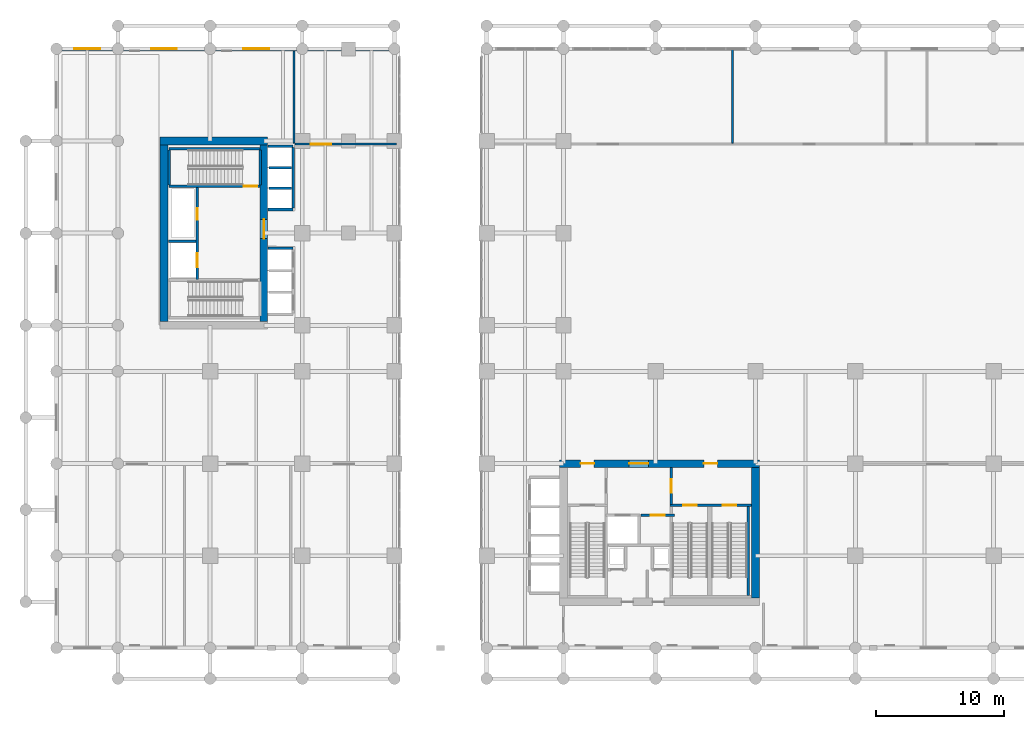
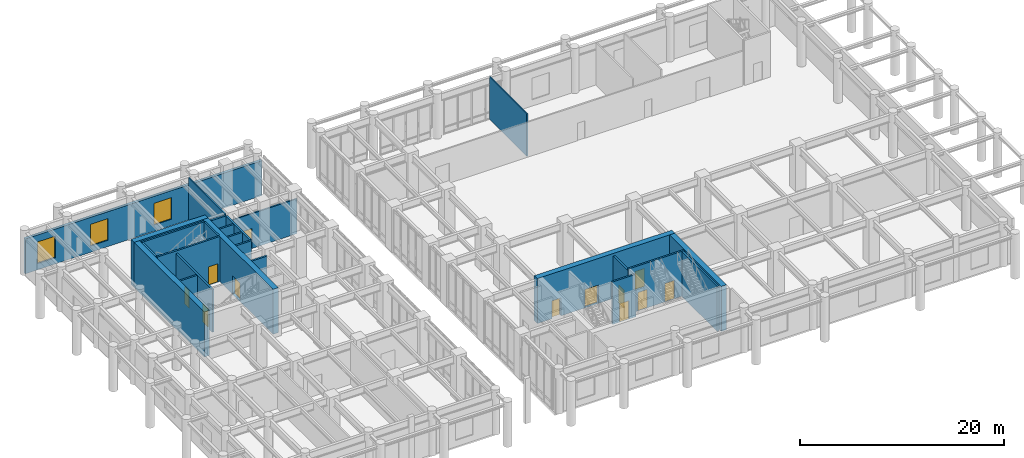
# One storey, part 17 of 23: 25 walls, 12 doors, 3 windows, 15 openings.
"""IFC4 building model written with IfcOpenShell, lengths in metres."""

from ifc_helpers import new_model, si_unit, derived_unit, direction, frame, frame_2d, origin, place, context, subcontext, project, spatial, rectangle, extrude, source, transform, mapped, material, layer, layer_set, type_object, type_shapes, element, fill, save


model = new_model("IFC4")

# Units and contexts
model_context = context("Model", 3, precision=1e-05, world=origin(), true_north=direction((0.0, 1.0)))
body_context = subcontext(model_context, "Body", "Model", "MODEL_VIEW")
ifc_project = project(units=[si_unit("LENGTHUNIT", "METRE"), si_unit("AREAUNIT", "SQUARE_METRE"), si_unit("VOLUMEUNIT", "CUBIC_METRE"), si_unit("PLANEANGLEUNIT", "RADIAN"), si_unit("MASSUNIT", "GRAM", prefix="KILO"), si_unit("THERMODYNAMICTEMPERATUREUNIT", "KELVIN"), si_unit("POWERUNIT", "WATT"), derived_unit("THERMALTRANSMITTANCEUNIT", [(si_unit("POWERUNIT", "WATT"), 1), (si_unit("AREAUNIT", "SQUARE_METRE"), -1), (si_unit("THERMODYNAMICTEMPERATUREUNIT", "KELVIN"), -1)])], contexts=[model_context])

# Site, building, storey
site_placement = place(None, origin())
site = spatial("IfcSite", under=ifc_project, at=site_placement, CompositionType="ELEMENT")
building_placement = place(site_placement, origin())
building = spatial("IfcBuilding", under=site, at=building_placement, Name="Zahravan Archway Hotel and Residences", CompositionType="ELEMENT")
storey_placement = place(building_placement, frame((0.0, 0.0, 5.39990234375)))
storey = spatial("IfcBuildingStorey", under=building, at=storey_placement, Name="L01", CompositionType="ELEMENT", Elevation=5.39990234375)

# Wall, openings, doors
ifc_material_1 = material(Name="Concrete C70/85", Category="concrete")
ifc_layer_1 = layer(ifc_material_1, 0.60009765625, Name="Concrete C70/85", Category="concrete")
ifc_layer_set_1 = layer_set([ifc_layer_1], Name="Concrete C70/85")
wall_type_1 = type_object("IfcWallType", Name="CW-CORE-600", PredefinedType="SHEAR", material=ifc_layer_set_1)
wall_1_placement = place(storey_placement, frame((34.5, 14.39990234375, 0.0), z_axis=(0.0, 0.0, 1.0), x_axis=(1.0, 0.0, 0.0)))
wall_1 = element("IfcWall", 1, at=wall_1_placement, inside=storey, type_object=wall_type_1, Name="L01 Core A Shear N Wall 600 mm", PredefinedType="SHEAR", context=body_context, shape_type="SweptSolid", body=[
    extrude(rectangle(XDim=15.60009765625, YDim=0.60009765625, at=frame_2d((7.800048828125, 0.0))), origin(), (0.0, 0.0, 1.0), 5.400146484375),
])
opening_1_placement = place(wall_1_placement, frame((5.429931640625, 0.0, 0.0)))
opening_1 = element("IfcOpeningElement", 2, at=opening_1_placement, cuts=wall_1, Name="Opening FD-L1", PredefinedType="OPENING", context=body_context, shape_type="SweptSolid", body=[
    extrude(rectangle(XDim=1.5, YDim=2.199951171875, at=frame_2d((0.75, 1.10009765625))), frame((0.0, 0.31005859375, 0.0), z_axis=(0.0, -1.0, 0.0), x_axis=(1.0, 0.0, 0.0)), (0.0, 0.0, 1.0), 0.6201171875),
])
opening_2_placement = place(wall_1_placement, frame((1.64501953125, 0.0, 0.0)))
opening_2 = element("IfcOpeningElement", 3, at=opening_2_placement, cuts=wall_1, Name="Opening FD-L2", PredefinedType="OPENING", context=body_context, shape_type="SweptSolid", body=[
    extrude(rectangle(XDim=1.050048828125, YDim=2.14990234375, at=frame_2d((0.52490234375, 1.074951171875))), frame((0.0, 0.31005859375, 0.0), z_axis=(0.0, -1.0, 0.0), x_axis=(1.0, 0.0, 0.0)), (0.0, 0.0, 1.0), 0.6201171875),
])
opening_3_placement = place(wall_1_placement, frame((11.27490234375, 0.0, 0.0)))
opening_3 = element("IfcOpeningElement", 4, at=opening_3_placement, cuts=wall_1, Name="Opening FD-L2", PredefinedType="OPENING", context=body_context, shape_type="SweptSolid", body=[
    extrude(rectangle(XDim=1.050048828125, YDim=2.14990234375, at=frame_2d((0.52490234375, 1.074951171875))), frame((0.0, 0.31005859375, 0.0), z_axis=(0.0, -1.0, 0.0), x_axis=(1.0, 0.0, 0.0)), (0.0, 0.0, 1.0), 0.6201171875),
])
ifc_material_2 = material(Name="Fire-Rated Painted Steel", Category="steel")
door_type_1 = type_object("IfcDoorType", Name="FD-LOBBY-1100", OperationType="NOTDEFINED", PredefinedType="DOOR", material=ifc_material_2)
shared_shape_1 = source(origin(), body_context, "Body", "SweptSolid", [
    extrude(rectangle(XDim=1.050048828125, YDim=2.14990234375, at=frame_2d((0.52490234375, 1.074951171875))), frame((0.0, 0.02490234375, 0.0), z_axis=(0.0, -1.0, 0.0), x_axis=(1.0, 0.0, 0.0)), (0.0, 0.0, 1.0), 0.050048828125),
])
type_shapes(door_type_1, [shared_shape_1])
door_1_placement = place(opening_2_placement, origin())
door_1 = element("IfcDoor", 5, at=door_1_placement, inside=storey, type_object=door_type_1, Name="L01 Core A West Stair Lobby Door", OperationType="SINGLE_SWING_LEFT", OverallHeight=2.14990234375, OverallWidth=1.050048828125, PredefinedType="DOOR", context=body_context, shape_type="MappedRepresentation", body=[
    mapped(shared_shape_1, transform((0.0, 0.0, 0.0), scale=1.0)),
])
fill(opening_2, door_1)
door_2_placement = place(opening_3_placement, origin())
door_2 = element("IfcDoor", 6, at=door_2_placement, inside=storey, type_object=door_type_1, Name="L01 Core A East Stair Lobby Door", OperationType="SINGLE_SWING_RIGHT", OverallHeight=2.14990234375, OverallWidth=1.050048828125, PredefinedType="DOOR", context=body_context, shape_type="MappedRepresentation", body=[
    mapped(shared_shape_1, transform((0.0, 0.0, 0.0), scale=1.0)),
])
fill(opening_3, door_2)
door_type_2 = type_object("IfcDoorType", Name="FD-LOBBY-1500", OperationType="DOUBLE_DOOR_SINGLE_SWING", PredefinedType="DOOR", material=ifc_material_2)
shared_shape_2 = source(origin(), body_context, "Body", "SweptSolid", [
    extrude(rectangle(XDim=1.5, YDim=2.199951171875, at=frame_2d((0.75, 1.10009765625))), frame((0.0, 0.02490234375, 0.0), z_axis=(0.0, -1.0, 0.0), x_axis=(1.0, 0.0, 0.0)), (0.0, 0.0, 1.0), 0.050048828125),
])
type_shapes(door_type_2, [shared_shape_2])
door_3_placement = place(opening_1_placement, origin())
door_3 = element("IfcDoor", 7, at=door_3_placement, inside=storey, type_object=door_type_2, Name="L01 Core A FSAE Lobby Main Door", OperationType="DOUBLE_DOOR_SINGLE_SWING", OverallHeight=2.199951171875, OverallWidth=1.5, PredefinedType="DOOR", context=body_context, shape_type="MappedRepresentation", body=[
    mapped(shared_shape_2, transform((0.0, 0.0, 0.0), scale=1.0)),
])
fill(opening_1, door_3)

# Walls
wall_2_placement = place(storey_placement, frame((49.800048828125, 3.89990234375, 0.0), z_axis=(0.0, 0.0, 1.0), x_axis=(0.0, 1.0, 0.0)))
element("IfcWall", 8, at=wall_2_placement, inside=storey, type_object=wall_type_1, Name="L01 Core A Shear E Wall 600 mm", PredefinedType="SHEAR", context=body_context, shape_type="SweptSolid", body=[
    extrude(rectangle(XDim=10.2001953125, YDim=0.60009765625, at=frame_2d((5.10009765625, 0.0))), origin(), (0.0, 0.0, 1.0), 5.400146484375),
])
wall_3_placement = place(storey_placement, frame((3.300048828125, 39.60009765625, 0.0), z_axis=(0.0, 0.0, 1.0), x_axis=(1.0, 0.0, 0.0)))
element("IfcWall", 9, at=wall_3_placement, inside=storey, type_object=wall_type_1, Name="L01 Core B Shear N Wall 600 mm", PredefinedType="SHEAR", context=body_context, shape_type="SweptSolid", body=[
    extrude(rectangle(XDim=8.39990234375, YDim=0.60009765625, at=frame_2d((4.199951171875, 0.0))), origin(), (0.0, 0.0, 1.0), 5.400146484375),
])
wall_4_placement = place(storey_placement, frame((3.60009765625, 25.5, 0.0), z_axis=(0.0, 0.0, 1.0), x_axis=(0.0, 1.0, 0.0)))
element("IfcWall", 10, at=wall_4_placement, inside=storey, type_object=wall_type_1, Name="L01 Core B Shear W Wall 600 mm", PredefinedType="SHEAR", context=body_context, shape_type="SweptSolid", body=[
    extrude(rectangle(XDim=13.800048828125, YDim=0.60009765625, at=frame_2d((6.89990234375, 0.0))), origin(), (0.0, 0.0, 1.0), 5.400146484375),
])

# Wall, opening, door
wall_5_placement = place(storey_placement, frame((11.39990234375, 25.5, 0.0), z_axis=(0.0, 0.0, 1.0), x_axis=(0.0, 1.0, 0.0)))
wall_5 = element("IfcWall", 11, at=wall_5_placement, inside=storey, type_object=wall_type_1, Name="L01 Core B Shear E Wall 600 mm", PredefinedType="SHEAR", context=body_context, shape_type="SweptSolid", body=[
    extrude(rectangle(XDim=13.800048828125, YDim=0.60009765625, at=frame_2d((6.89990234375, 0.0))), origin(), (0.0, 0.0, 1.0), 5.400146484375),
])
opening_4_placement = place(wall_5_placement, frame((6.469970703125, 0.0, 0.0)))
opening_4 = element("IfcOpeningElement", 12, at=opening_4_placement, cuts=wall_5, Name="Opening FD-L1", PredefinedType="OPENING", context=body_context, shape_type="SweptSolid", body=[
    extrude(rectangle(XDim=1.5, YDim=2.199951171875, at=frame_2d((0.75, 1.10009765625))), frame((0.0, 0.31005859375, 0.0), z_axis=(0.0, -1.0, 0.0), x_axis=(1.0, 0.0, 0.0)), (0.0, 0.0, 1.0), 0.6201171875),
])
door_4_placement = place(opening_4_placement, origin())
door_4 = element("IfcDoor", 13, at=door_4_placement, inside=storey, type_object=door_type_2, Name="L01 Core B FSAE Lobby Door", OperationType="DOUBLE_DOOR_SINGLE_SWING", OverallHeight=2.199951171875, OverallWidth=1.5, PredefinedType="DOOR", context=body_context, shape_type="MappedRepresentation", body=[
    mapped(shared_shape_2, transform((0.0, 0.0, 0.0), scale=1.0)),
])
fill(opening_4, door_4)

# Wall, openings, windows
ifc_material_3 = material(Name="Agra Buff Sandstone & Insulated Backup", Category="masonry")
ifc_layer_2 = layer(ifc_material_3, 0.320068359375, Name="Agra Buff Sandstone & Insulated Backup", Category="masonry")
ifc_layer_set_2 = layer_set([ifc_layer_2], Name="Agra Buff Sandstone & Insulated Backup")
wall_type_2 = type_object("IfcWallType", Name="EW-SAND-320", PredefinedType="SOLIDWALL", material=ifc_layer_set_2)
wall_6_placement = place(storey_placement, frame((-4.800048828125, 46.800048828125, 0.0), z_axis=(0.0, 0.0, 1.0), x_axis=(1.0, 0.0, 0.0)))
wall_6 = element("IfcWall", 14, at=wall_6_placement, inside=storey, type_object=wall_type_2, Name="L01 Podium Sandstone NW Wall", PredefinedType="SOLIDWALL", context=body_context, shape_type="SweptSolid", body=[
    extrude(rectangle(XDim=26.85009765625, YDim=0.320068359375, at=frame_2d((13.425048828125, 0.0))), origin(), (0.0, 0.0, 1.0), 4.18505859375),
])
opening_5_placement = place(wall_6_placement, frame((1.39990234375, 0.0, 0.75)))
opening_5 = element("IfcOpeningElement", 15, at=opening_5_placement, cuts=wall_6, Name="Opening W-01", PredefinedType="OPENING", context=body_context, shape_type="SweptSolid", body=[
    extrude(rectangle(XDim=2.0, YDim=2.60009765625, at=frame_2d((1.0, 1.300048828125))), frame((0.0, 0.169921875, 0.0), z_axis=(0.0, -1.0, 0.0), x_axis=(1.0, 0.0, 0.0)), (0.0, 0.0, 1.0), 0.340087890625),
])
opening_6_placement = place(wall_6_placement, frame((7.39990234375, 0.0, 0.75)))
opening_6 = element("IfcOpeningElement", 16, at=opening_6_placement, cuts=wall_6, Name="Opening W-01", PredefinedType="OPENING", context=body_context, shape_type="SweptSolid", body=[
    extrude(rectangle(XDim=2.0, YDim=2.60009765625, at=frame_2d((1.0, 1.300048828125))), frame((0.0, 0.169921875, 0.0), z_axis=(0.0, -1.0, 0.0), x_axis=(1.0, 0.0, 0.0)), (0.0, 0.0, 1.0), 0.340087890625),
])
opening_7_placement = place(wall_6_placement, frame((14.60009765625, 0.0, 0.75)))
opening_7 = element("IfcOpeningElement", 17, at=opening_7_placement, cuts=wall_6, Name="Opening W-01", PredefinedType="OPENING", context=body_context, shape_type="SweptSolid", body=[
    extrude(rectangle(XDim=2.0, YDim=2.60009765625, at=frame_2d((1.0, 1.300048828125))), frame((0.0, 0.169921875, 0.0), z_axis=(0.0, -1.0, 0.0), x_axis=(1.0, 0.0, 0.0)), (0.0, 0.0, 1.0), 0.340087890625),
])
ifc_material_4 = material(Name="Bronze-Anodized Thermal-Break Aluminium & Low-E Glass", Category="aluminium")
window_type = type_object("IfcWindowType", Name="WIN-ARC-2000", PartitioningType="DOUBLE_PANEL_VERTICAL", PredefinedType="WINDOW", material=ifc_material_4)
shared_shape_3 = source(origin(), body_context, "Body", "SweptSolid", [
    extrude(rectangle(XDim=2.0, YDim=2.60009765625, at=frame_2d((1.0, 1.300048828125))), frame((0.0, 0.030029296875, 0.0), z_axis=(0.0, -1.0, 0.0), x_axis=(1.0, 0.0, 0.0)), (0.0, 0.0, 1.0), 0.06005859375),
])
type_shapes(window_type, [shared_shape_3])
window_1_placement = place(opening_5_placement, origin())
window_1 = element("IfcWindow", 18, at=window_1_placement, inside=storey, type_object=window_type, Name="L01 Podium Mughal Arch Window 13", OverallHeight=2.60009765625, OverallWidth=2.0, PartitioningType="DOUBLE_PANEL_VERTICAL", PredefinedType="WINDOW", context=body_context, shape_type="MappedRepresentation", body=[
    mapped(shared_shape_3, transform((0.0, 0.0, 0.0), scale=1.0)),
])
fill(opening_5, window_1)
window_2_placement = place(opening_6_placement, origin())
window_2 = element("IfcWindow", 19, at=window_2_placement, inside=storey, type_object=window_type, Name="L01 Podium Mughal Arch Window 14", OverallHeight=2.60009765625, OverallWidth=2.0, PartitioningType="DOUBLE_PANEL_VERTICAL", PredefinedType="WINDOW", context=body_context, shape_type="MappedRepresentation", body=[
    mapped(shared_shape_3, transform((0.0, 0.0, 0.0), scale=1.0)),
])
fill(opening_6, window_2)
window_3_placement = place(opening_7_placement, origin())
window_3 = element("IfcWindow", 20, at=window_3_placement, inside=storey, type_object=window_type, Name="L01 Podium Mughal Arch Window 15", OverallHeight=2.60009765625, OverallWidth=2.0, PartitioningType="DOUBLE_PANEL_VERTICAL", PredefinedType="WINDOW", context=body_context, shape_type="MappedRepresentation", body=[
    mapped(shared_shape_3, transform((0.0, 0.0, 0.0), scale=1.0)),
])
fill(opening_7, window_3)

# Wall, opening, door
ifc_material_5 = material(Name="Fire-Rated Gypsum & Concrete Block", Category="concrete")
ifc_layer_3 = layer(ifc_material_5, 0.219970703125, Name="Fire-Rated Gypsum & Concrete Block", Category="concrete")
ifc_layer_set_3 = layer_set([ifc_layer_3], Name="Fire-Rated Gypsum & Concrete Block")
wall_type_3 = type_object("IfcWallType", Name="PW-COMP-220", PredefinedType="PARTITIONING", material=ifc_layer_set_3)
wall_7_placement = place(storey_placement, frame((43.219970703125, 11.219970703125, 0.0), z_axis=(0.0, 0.0, 1.0), x_axis=(0.0, 1.0, 0.0)))
wall_7 = element("IfcWall", 21, at=wall_7_placement, inside=storey, type_object=wall_type_3, Name="L01 Partition CA-LOBE", PredefinedType="PARTITIONING", context=body_context, shape_type="SweptSolid", body=[
    extrude(rectangle(XDim=2.860107421875, YDim=0.219970703125, at=frame_2d((1.43017578125, 0.0))), origin(), (0.0, 0.0, 1.0), 5.10009765625),
])
opening_8_placement = place(wall_7_placement, frame((0.905029296875, 0.0, 0.0)))
opening_8 = element("IfcOpeningElement", 22, at=opening_8_placement, cuts=wall_7, Name="Opening FD-L2", PredefinedType="OPENING", context=body_context, shape_type="SweptSolid", body=[
    extrude(rectangle(XDim=1.050048828125, YDim=2.14990234375, at=frame_2d((0.52490234375, 1.074951171875))), frame((0.0, 0.1201171875, 0.0), z_axis=(0.0, -1.0, 0.0), x_axis=(1.0, 0.0, 0.0)), (0.0, 0.0, 1.0), 0.239990234375),
])
door_5_placement = place(opening_8_placement, origin())
door_5 = element("IfcDoor", 23, at=door_5_placement, inside=storey, type_object=door_type_1, Name="L01 Core A East Stair to FSAE Lobby Door", OperationType="SINGLE_SWING_RIGHT", OverallHeight=2.14990234375, OverallWidth=1.050048828125, PredefinedType="DOOR", context=body_context, shape_type="MappedRepresentation", body=[
    mapped(shared_shape_1, transform((0.0, 0.0, 0.0), scale=1.0)),
])
fill(opening_8, door_5)

ifc_layer_4 = layer(ifc_material_5, 0.159912109375, Name="Fire-Rated Gypsum & Concrete Block", Category="concrete")
ifc_layer_set_4 = layer_set([ifc_layer_4], Name="Fire-Rated Gypsum & Concrete Block")
wall_type_4 = type_object("IfcWallType", Name="PW-CORR-160", PredefinedType="PARTITIONING", material=ifc_layer_set_4)
wall_8_placement = place(storey_placement, frame((13.840087890625, 39.35009765625, 0.0), z_axis=(0.0, 0.0, 1.0), x_axis=(1.0, 0.0, 0.0)))
wall_8 = element("IfcWall", 24, at=wall_8_placement, inside=storey, type_object=wall_type_4, Name="L01 Partition L01-GNW0", PredefinedType="PARTITIONING", context=body_context, shape_type="SweptSolid", body=[
    extrude(rectangle(XDim=7.919921875, YDim=0.159912109375, at=frame_2d((3.9599609375, 0.0))), origin(), (0.0, 0.0, 1.0), 4.18505859375),
])
opening_9_placement = place(wall_8_placement, frame((1.219970703125, 0.0, 0.0)))
opening_9 = element("IfcOpeningElement", 25, at=opening_9_placement, cuts=wall_8, Name="Opening D-P2", PredefinedType="OPENING", context=body_context, shape_type="SweptSolid", body=[
    extrude(rectangle(XDim=1.60009765625, YDim=2.39990234375, at=frame_2d((0.800048828125, 1.199951171875))), frame((0.0, 0.08984375, 0.0), z_axis=(0.0, -1.0, 0.0), x_axis=(1.0, 0.0, 0.0)), (0.0, 0.0, 1.0), 0.179931640625),
])
ifc_material_6 = material(Name="Bronze-Anodized Glazed Aluminium", Category="aluminium")
door_type_3 = type_object("IfcDoorType", Name="ID-PUBLIC-1600", OperationType="DOUBLE_DOOR_SINGLE_SWING", PredefinedType="DOOR", material=ifc_material_6)
shared_shape_4 = source(origin(), body_context, "Body", "SweptSolid", [
    extrude(rectangle(XDim=1.60009765625, YDim=2.39990234375, at=frame_2d((0.800048828125, 1.199951171875))), frame((0.0, 0.02490234375, 0.0), z_axis=(0.0, -1.0, 0.0), x_axis=(1.0, 0.0, 0.0)), (0.0, 0.0, 1.0), 0.050048828125),
])
type_shapes(door_type_3, [shared_shape_4])
door_6_placement = place(opening_9_placement, origin())
door_6 = element("IfcDoor", 26, at=door_6_placement, inside=storey, type_object=door_type_3, Name="L01 Bookshop & Calligraphy Atelier Door", OperationType="DOUBLE_DOOR_SINGLE_SWING", OverallHeight=2.39990234375, OverallWidth=1.60009765625, PredefinedType="DOOR", context=body_context, shape_type="MappedRepresentation", body=[
    mapped(shared_shape_4, transform((0.0, 0.0, 0.0), scale=1.0)),
])
fill(opening_9, door_6)

# Wall, openings, doors
ifc_layer_5 = layer(ifc_material_5, 0.199951171875, Name="Fire-Rated Gypsum & Concrete Block", Category="concrete")
ifc_layer_set_5 = layer_set([ifc_layer_5], Name="Fire-Rated Gypsum & Concrete Block")
wall_type_5 = type_object("IfcWallType", Name="PW-SHAFT-200", PredefinedType="PARTITIONING", material=ifc_layer_set_5)
wall_9_placement = place(storey_placement, frame((6.199951171875, 28.7900390625, 0.0), z_axis=(0.0, 0.0, 1.0), x_axis=(0.0, 1.0, 0.0)))
wall_9 = element("IfcWall", 27, at=wall_9_placement, inside=storey, type_object=wall_type_5, Name="L01 Partition CB-FL3E", PredefinedType="PARTITIONING", context=body_context, shape_type="SweptSolid", body=[
    extrude(rectangle(XDim=7.219970703125, YDim=0.199951171875, at=frame_2d((3.60986328125, 0.0))), origin(), (0.0, 0.0, 1.0), 5.10009765625),
])
opening_10_placement = place(wall_9_placement, frame((4.659912109375, 0.0, 0.0)))
opening_10 = element("IfcOpeningElement", 28, at=opening_10_placement, cuts=wall_9, Name="Opening FD-R1", PredefinedType="OPENING", context=body_context, shape_type="SweptSolid", body=[
    extrude(rectangle(XDim=0.89990234375, YDim=2.10009765625, at=frame_2d((0.449951171875, 1.050048828125))), frame((0.0, 0.10986328125, 0.0), z_axis=(0.0, -1.0, 0.0), x_axis=(1.0, 0.0, 0.0)), (0.0, 0.0, 1.0), 0.219970703125),
])
opening_11_placement = place(wall_9_placement, frame((0.9599609375, 0.0, 0.0)))
opening_11 = element("IfcOpeningElement", 29, at=opening_11_placement, cuts=wall_9, Name="Opening LD", PredefinedType="OPENING", context=body_context, shape_type="SweptSolid", body=[
    extrude(rectangle(XDim=1.10009765625, YDim=2.199951171875, at=frame_2d((0.550048828125, 1.10009765625))), frame((0.0, 0.10986328125, 0.0), z_axis=(0.0, -1.0, 0.0), x_axis=(1.0, 0.0, 0.0)), (0.0, 0.0, 1.0), 0.219970703125),
])
door_type_4 = type_object("IfcDoorType", Name="FD-RISER-900", OperationType="NOTDEFINED", PredefinedType="DOOR", material=ifc_material_2)
shared_shape_5 = source(origin(), body_context, "Body", "SweptSolid", [
    extrude(rectangle(XDim=0.89990234375, YDim=2.10009765625, at=frame_2d((0.449951171875, 1.050048828125))), frame((0.0, 0.02490234375, 0.0), z_axis=(0.0, -1.0, 0.0), x_axis=(1.0, 0.0, 0.0)), (0.0, 0.0, 1.0), 0.050048828125),
])
type_shapes(door_type_4, [shared_shape_5])
door_7_placement = place(opening_10_placement, origin())
door_7 = element("IfcDoor", 30, at=door_7_placement, inside=storey, type_object=door_type_4, Name="L01 Core B Riser Door", OperationType="SINGLE_SWING_LEFT", OverallHeight=2.10009765625, OverallWidth=0.89990234375, PredefinedType="DOOR", context=body_context, shape_type="MappedRepresentation", body=[
    mapped(shared_shape_5, transform((0.0, 0.0, 0.0), scale=1.0)),
])
fill(opening_10, door_7)
ifc_material_7 = material(Name="Brushed Stainless Steel", Category="steel")
door_type_5 = type_object("IfcDoorType", Name="DR-LIFT-LD", OperationType="SLIDING_TO_LEFT", PredefinedType="DOOR", material=ifc_material_7)
shared_shape_6 = source(origin(), body_context, "Body", "SweptSolid", [
    extrude(rectangle(XDim=1.10009765625, YDim=2.199951171875, at=frame_2d((0.550048828125, 1.10009765625))), frame((0.0, 0.02490234375, 0.0), z_axis=(0.0, -1.0, 0.0), x_axis=(1.0, 0.0, 0.0)), (0.0, 0.0, 1.0), 0.050048828125),
])
type_shapes(door_type_5, [shared_shape_6])
door_8_placement = place(opening_11_placement, origin())
door_8 = element("IfcDoor", 31, at=door_8_placement, inside=storey, type_object=door_type_5, Name="L01 Lift FL-3 Sliding Landing Door", OperationType="SLIDING_TO_LEFT", OverallHeight=2.199951171875, OverallWidth=1.10009765625, PredefinedType="DOOR", context=body_context, shape_type="MappedRepresentation", body=[
    mapped(shared_shape_6, transform((0.0, 0.0, 0.0), scale=1.0)),
])
fill(opening_11, door_8)

# Walls
wall_10_placement = place(storey_placement, frame((3.9599609375, 31.780029296875, 0.0), z_axis=(0.0, 0.0, 1.0), x_axis=(1.0, 0.0, 0.0)))
element("IfcWall", 32, at=wall_10_placement, inside=storey, type_object=wall_type_5, Name="L01 Partition CB-FL3N", PredefinedType="PARTITIONING", context=body_context, shape_type="SweptSolid", body=[
    extrude(rectangle(XDim=2.130126953125, YDim=0.199951171875, at=frame_2d((1.06494140625, 0.0))), origin(), (0.0, 0.0, 1.0), 5.10009765625),
])
for number, where, z_axis, x_axis, name in (
    (33, (11.7099609375, 31.2099609375, 0.0), (0.0, 0.0, 1.0), (1.0, 0.0, 0.0), "L01 Partition B1-N"),
    (34, (11.7099609375, 34.25, 0.0), (0.0, 0.0, 1.0), (1.0, 0.0, 0.0), "L01 Partition B2-S"),
    (35, (11.7099609375, 39.18994140625, 0.0), (0.0, 0.0, 1.0), (1.0, 0.0, 0.0), "L01 Partition B2-N"),
):
    element("IfcWall", number, at=place(storey_placement, frame(where, z_axis=z_axis, x_axis=x_axis)), inside=storey, type_object=wall_type_5, Name=name, PredefinedType="PARTITIONING", context=body_context, shape_type="SweptSolid", body=[
        extrude(rectangle(XDim=1.9599609375, YDim=0.199951171875, at=frame_2d((0.97998046875, 0.0))), origin(), (0.0, 0.0, 1.0), 5.10009765625),
    ])
wall_11_placement = place(storey_placement, frame((13.679931640625, 34.360107421875, 0.0), z_axis=(0.0, 0.0, 1.0), x_axis=(0.0, 1.0, 0.0)))
element("IfcWall", 36, at=wall_11_placement, inside=storey, type_object=wall_type_5, Name="L01 Partition B2-E", PredefinedType="PARTITIONING", context=body_context, shape_type="SweptSolid", body=[
    extrude(rectangle(XDim=4.719970703125, YDim=0.199951171875, at=frame_2d((2.35986328125, 0.0))), origin(), (0.0, 0.0, 1.0), 5.10009765625),
])
for number, where, z_axis, x_axis, name in (
    (37, (11.81005859375, 35.919921875, 0.0), (0.0, 0.0, 1.0), (1.0, 0.0, 0.0), "L01 Partition B2-D"),
    (38, (11.81005859375, 37.52001953125, 0.0), (0.0, 0.0, 1.0), (1.0, 0.0, 0.0), "L01 Partition B2-D"),
):
    element("IfcWall", number, at=place(storey_placement, frame(where, z_axis=z_axis, x_axis=x_axis)), inside=storey, type_object=wall_type_5, Name=name, PredefinedType="PARTITIONING", context=body_context, shape_type="SweptSolid", body=[
        extrude(rectangle(XDim=1.760009765625, YDim=0.199951171875, at=frame_2d((0.8798828125, 0.0))), origin(), (0.0, 0.0, 1.0), 5.10009765625),
    ])

# Wall, opening, door
wall_12_placement = place(storey_placement, frame((40.840087890625, 10.3701171875, 0.0), z_axis=(0.0, 0.0, 1.0), x_axis=(1.0, 0.0, 0.0)))
wall_12 = element("IfcWall", 39, at=wall_12_placement, inside=storey, type_object=wall_type_5, Name="L01 Lift FL-2 Front Wall", PredefinedType="PARTITIONING", context=body_context, shape_type="SweptSolid", body=[
    extrude(rectangle(XDim=2.639892578125, YDim=0.199951171875, at=frame_2d((1.31982421875, 0.0))), origin(), (0.0, 0.0, 1.0), 5.10009765625),
])
opening_12_placement = place(wall_12_placement, frame((0.77001953125, 0.0, 0.0)))
opening_12 = element("IfcOpeningElement", 40, at=opening_12_placement, cuts=wall_12, Name="Opening LD", PredefinedType="OPENING", context=body_context, shape_type="SweptSolid", body=[
    extrude(rectangle(XDim=1.10009765625, YDim=2.199951171875, at=frame_2d((0.550048828125, 1.10009765625))), frame((0.0, 0.10986328125, 0.0), z_axis=(0.0, -1.0, 0.0), x_axis=(1.0, 0.0, 0.0)), (0.0, 0.0, 1.0), 0.219970703125),
])
door_9_placement = place(opening_12_placement, origin())
door_9 = element("IfcDoor", 41, at=door_9_placement, inside=storey, type_object=door_type_5, Name="L01 Lift FL-2 Sliding Landing Door", OperationType="SLIDING_TO_LEFT", OverallHeight=2.199951171875, OverallWidth=1.10009765625, PredefinedType="DOOR", context=body_context, shape_type="MappedRepresentation", body=[
    mapped(shared_shape_6, transform((0.0, 0.0, 0.0), scale=1.0)),
])
fill(opening_12, door_9)

# Walls
ifc_material_8 = material(Name="Moisture-Resistant Blockwork", Category="masonry")
ifc_layer_6 = layer(ifc_material_8, 0.139892578125, Name="Moisture-Resistant Blockwork", Category="masonry")
ifc_layer_set_6 = layer_set([ifc_layer_6], Name="Moisture-Resistant Blockwork")
wall_type_6 = type_object("IfcWallType", Name="PW-WET-140", PredefinedType="PARTITIONING", material=ifc_layer_set_6)
wall_13_placement = place(storey_placement, frame((13.75, 39.43994140625, 0.0), z_axis=(0.0, 0.0, 1.0), x_axis=(0.0, 1.0, 0.0)))
element("IfcWall", 42, at=wall_13_placement, inside=storey, type_object=wall_type_6, Name="L01 Partition L01-GNW", PredefinedType="PARTITIONING", context=body_context, shape_type="SweptSolid", body=[
    extrude(rectangle(XDim=7.192138671875, YDim=0.139892578125, at=frame_2d((3.59619140625, 0.0))), origin(), (0.0, 0.0, 1.0), 5.10009765625),
])
wall_14_placement = place(storey_placement, frame((48.0, 39.43994140625, 0.0), z_axis=(0.0, 0.0, 1.0), x_axis=(0.0, 1.0, 0.0)))
element("IfcWall", 43, at=wall_14_placement, inside=storey, type_object=wall_type_6, Name="L01 Partition L01-NV2", PredefinedType="PARTITIONING", context=body_context, shape_type="SweptSolid", body=[
    extrude(rectangle(XDim=7.33203125, YDim=0.139892578125, at=frame_2d((3.666015625, 0.0))), origin(), (0.0, 0.0, 1.0), 5.10009765625),
])
ifc_material_9 = material(Name="Concrete C50/60", Category="concrete")
ifc_layer_7 = layer(ifc_material_9, 0.199951171875, Name="Concrete C50/60", Category="concrete")
ifc_layer_set_7 = layer_set([ifc_layer_7], Name="Concrete C50/60")
wall_type_7 = type_object("IfcWallType", Name="SW-STAIR-200", PredefinedType="SHEAR", material=ifc_layer_set_7)
wall_15_placement = place(storey_placement, frame((49.239990234375, 4.10009765625, 0.0), z_axis=(0.0, 0.0, 1.0), x_axis=(0.0, 1.0, 0.0)))
element("IfcWall", 44, at=wall_15_placement, inside=storey, type_object=wall_type_7, Name="L01 Stairwell RC Wall CA-SA3E", PredefinedType="SHEAR", context=body_context, shape_type="SweptSolid", body=[
    extrude(rectangle(XDim=6.949951171875, YDim=0.199951171875, at=frame_2d((3.47509765625, 0.0))), origin(), (0.0, 0.0, 1.0), 5.400146484375),
])

# Wall, openings, doors
wall_16_placement = place(storey_placement, frame((43.1201171875, 11.14990234375, 0.0), z_axis=(0.0, 0.0, 1.0), x_axis=(1.0, 0.0, 0.0)))
wall_16 = element("IfcWall", 45, at=wall_16_placement, inside=storey, type_object=wall_type_7, Name="L01 Stairwell RC Wall CA-SA23N", PredefinedType="SHEAR", context=body_context, shape_type="SweptSolid", body=[
    extrude(rectangle(XDim=6.3798828125, YDim=0.199951171875, at=frame_2d((3.18994140625, 0.0))), origin(), (0.0, 0.0, 1.0), 5.400146484375),
])
opening_13_placement = place(wall_16_placement, frame((1.044921875, 0.0, 0.0)))
opening_13 = element("IfcOpeningElement", 46, at=opening_13_placement, cuts=wall_16, Name="Opening FD-S1", PredefinedType="OPENING", context=body_context, shape_type="SweptSolid", body=[
    extrude(rectangle(XDim=1.050048828125, YDim=2.199951171875, at=frame_2d((0.52490234375, 1.10009765625))), frame((0.0, 0.10986328125, 0.0), z_axis=(0.0, -1.0, 0.0), x_axis=(1.0, 0.0, 0.0)), (0.0, 0.0, 1.0), 0.219970703125),
])
opening_14_placement = place(wall_16_placement, frame((4.125, 0.0, 0.0)))
opening_14 = element("IfcOpeningElement", 47, at=opening_14_placement, cuts=wall_16, Name="Opening FD-S1", PredefinedType="OPENING", context=body_context, shape_type="SweptSolid", body=[
    extrude(rectangle(XDim=1.050048828125, YDim=2.199951171875, at=frame_2d((0.52490234375, 1.10009765625))), frame((0.0, 0.10986328125, 0.0), z_axis=(0.0, -1.0, 0.0), x_axis=(1.0, 0.0, 0.0)), (0.0, 0.0, 1.0), 0.219970703125),
])
door_type_6 = type_object("IfcDoorType", Name="FD-STAIR-1100", OperationType="NOTDEFINED", PredefinedType="DOOR", material=ifc_material_2)
shared_shape_7 = source(origin(), body_context, "Body", "SweptSolid", [
    extrude(rectangle(XDim=1.050048828125, YDim=2.199951171875, at=frame_2d((0.52490234375, 1.10009765625))), frame((0.0, 0.02490234375, 0.0), z_axis=(0.0, -1.0, 0.0), x_axis=(1.0, 0.0, 0.0)), (0.0, 0.0, 1.0), 0.050048828125),
])
type_shapes(door_type_6, [shared_shape_7])
door_10_placement = place(opening_13_placement, origin())
door_10 = element("IfcDoor", 48, at=door_10_placement, inside=storey, type_object=door_type_6, Name="L01 Stair ST-A2 Door", OperationType="SINGLE_SWING_LEFT", OverallHeight=2.199951171875, OverallWidth=1.050048828125, PredefinedType="DOOR", context=body_context, shape_type="MappedRepresentation", body=[
    mapped(shared_shape_7, transform((0.0, 0.0, 0.0), scale=1.0)),
])
fill(opening_13, door_10)
door_11_placement = place(opening_14_placement, origin())
door_11 = element("IfcDoor", 49, at=door_11_placement, inside=storey, type_object=door_type_6, Name="L01 Stair ST-A3 Door", OperationType="SINGLE_SWING_RIGHT", OverallHeight=2.199951171875, OverallWidth=1.050048828125, PredefinedType="DOOR", context=body_context, shape_type="MappedRepresentation", body=[
    mapped(shared_shape_7, transform((0.0, 0.0, 0.0), scale=1.0)),
])
fill(opening_14, door_11)

# Walls
wall_17_placement = place(storey_placement, frame((4.0, 39.0, 0.0), z_axis=(0.0, 0.0, 1.0), x_axis=(1.0, 0.0, 0.0)))
element("IfcWall", 50, at=wall_17_placement, inside=storey, type_object=wall_type_7, Name="L01 Stairwell RC Wall CB-SB2N", PredefinedType="SHEAR", context=body_context, shape_type="SweptSolid", body=[
    extrude(rectangle(XDim=7.10009765625, YDim=0.199951171875, at=frame_2d((3.550048828125, 0.0))), origin(), (0.0, 0.0, 1.0), 5.400146484375),
])
for number, where, z_axis, x_axis, name in (
    (51, (4.0, 36.179931640625, 0.0), (0.0, 0.0, 1.0), (0.0, 1.0, 0.0), "L01 Stairwell RC Wall CB-SB2W"),
    (52, (11.10009765625, 36.179931640625, 0.0), (0.0, 0.0, 1.0), (0.0, 1.0, 0.0), "L01 Stairwell RC Wall CB-SB2E"),
):
    element("IfcWall", number, at=place(storey_placement, frame(where, z_axis=z_axis, x_axis=x_axis)), inside=storey, type_object=wall_type_7, Name=name, PredefinedType="SHEAR", context=body_context, shape_type="SweptSolid", body=[
        extrude(rectangle(XDim=2.699951171875, YDim=0.199951171875, at=frame_2d((1.35009765625, 0.0))), origin(), (0.0, 0.0, 1.0), 5.400146484375),
    ])

# Wall, opening, door
wall_18_placement = place(storey_placement, frame((4.0, 36.06005859375, 0.0), z_axis=(0.0, 0.0, 1.0), x_axis=(1.0, 0.0, 0.0)))
wall_18 = element("IfcWall", 53, at=wall_18_placement, inside=storey, type_object=wall_type_7, Name="L01 Stairwell RC Wall CB-SB2S", PredefinedType="SHEAR", context=body_context, shape_type="SweptSolid", body=[
    extrude(rectangle(XDim=7.10009765625, YDim=0.199951171875, at=frame_2d((3.550048828125, 0.0))), origin(), (0.0, 0.0, 1.0), 5.400146484375),
])
opening_15_placement = place(wall_18_placement, frame((5.81494140625, 0.0, 0.0)))
opening_15 = element("IfcOpeningElement", 54, at=opening_15_placement, cuts=wall_18, Name="Opening FD-S1", PredefinedType="OPENING", context=body_context, shape_type="SweptSolid", body=[
    extrude(rectangle(XDim=1.050048828125, YDim=2.199951171875, at=frame_2d((0.52490234375, 1.10009765625))), frame((0.0, 0.10986328125, 0.0), z_axis=(0.0, -1.0, 0.0), x_axis=(1.0, 0.0, 0.0)), (0.0, 0.0, 1.0), 0.219970703125),
])
door_12_placement = place(opening_15_placement, origin())
door_12 = element("IfcDoor", 55, at=door_12_placement, inside=storey, type_object=door_type_6, Name="L01 Stair ST-B2 Door", OperationType="SINGLE_SWING_RIGHT", OverallHeight=2.199951171875, OverallWidth=1.050048828125, PredefinedType="DOOR", context=body_context, shape_type="MappedRepresentation", body=[
    mapped(shared_shape_7, transform((0.0, 0.0, 0.0), scale=1.0)),
])
fill(opening_15, door_12)

save(model, "model.ifc")
